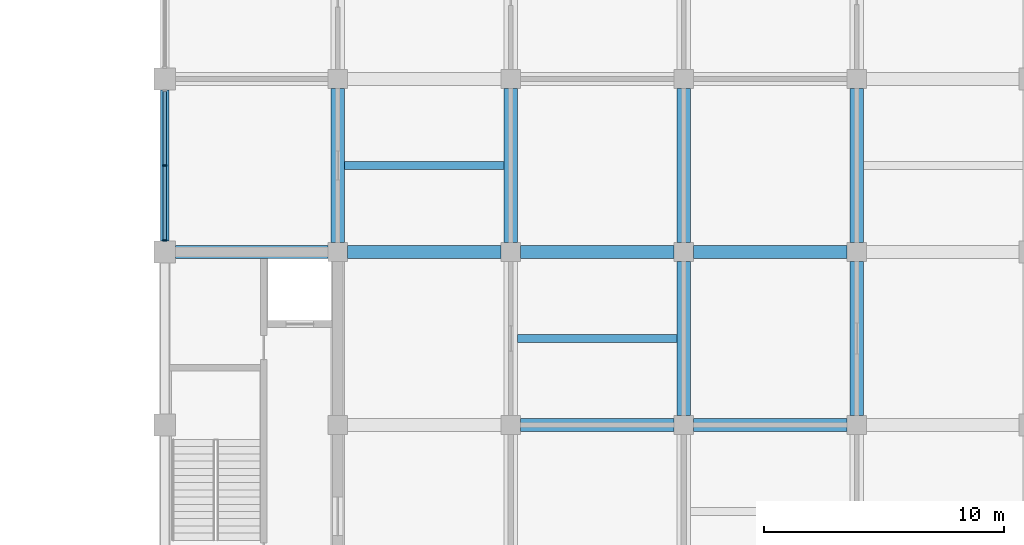
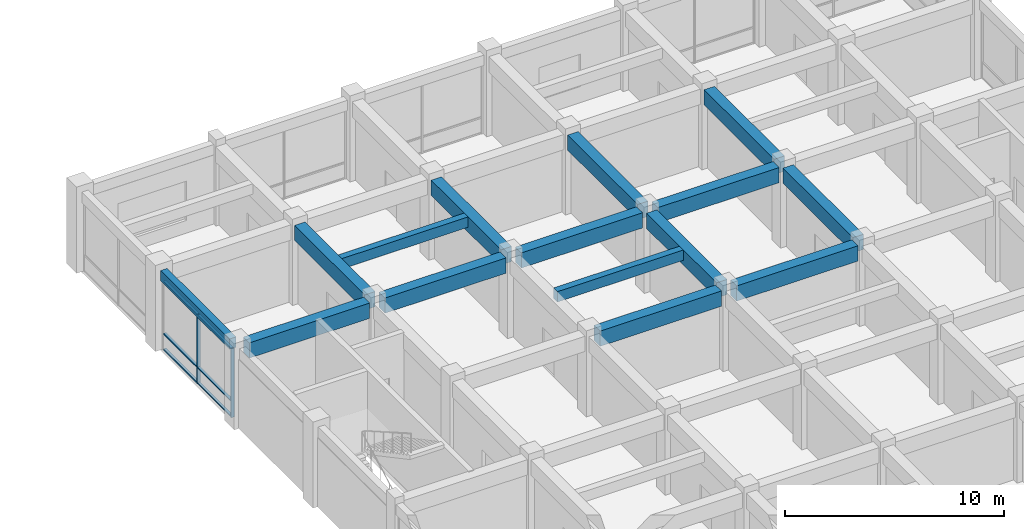
# One storey, part 15 of 75: 15 beams, 8 members, 1 element without a shape of its own.
"""IFC4 building model written with IfcOpenShell, lengths in metres."""

from ifc_helpers import new_model, si_unit, direction, frame, origin, origin_2d, place, context, subcontext, project, spatial, rectangle, extrude, material, layer, layer_set, material_profile, profile_set, type_object, element, aggregate, save


model = new_model("IFC4")

# Units and contexts
model_context = context("Model", 3, precision=1e-05, world=origin(), true_north=direction((0.0, 1.0)))
body_context = subcontext(model_context, "Body", "Model", "MODEL_VIEW")
ifc_project = project(units=[si_unit("LENGTHUNIT", "METRE"), si_unit("AREAUNIT", "SQUARE_METRE"), si_unit("VOLUMEUNIT", "CUBIC_METRE"), si_unit("PLANEANGLEUNIT", "RADIAN"), si_unit("MASSUNIT", "GRAM", prefix="KILO")], contexts=[model_context])

# Site, building, storey
site_placement = place(None, origin())
site = spatial("IfcSite", under=ifc_project, at=site_placement, CompositionType="ELEMENT")
building_placement = place(site_placement, origin())
building = spatial("IfcBuilding", under=site, at=building_placement, Name="Cendaluz Park School", CompositionType="ELEMENT")
storey_placement = place(building_placement, frame((0.0, 0.0, 4.800048828125)))
storey = spatial("IfcBuildingStorey", under=building, at=storey_placement, Name="L01", CompositionType="ELEMENT", Elevation=4.800048828125)

# Beams
ifc_material_1 = material(Name="Concrete C40/50", Category="concrete")
ifc_material_profile_1 = material_profile(ifc_material_1, rectangle(XDim=0.550048828125, YDim=0.85009765625, at=origin_2d()), Name="RC 550x850", Category="concrete")
ifc_profile_set_1 = profile_set([ifc_material_profile_1], Name="Concrete C40/50")
beam_type_1 = type_object("IfcBeamType", Name="BM-RC01", PredefinedType="BEAM", material=ifc_profile_set_1)
beam_1_placement = place(storey_placement, frame((65.25, 57.60009765625, 4.0048828125), z_axis=(1.0, 0.0, 0.0), x_axis=(0.0, 1.0, 0.0)))
element("IfcBeam", 1, at=beam_1_placement, inside=storey, type_object=beam_type_1, Name="BM-L01-BMRC01-0088", PredefinedType="BEAM", context=body_context, shape_type="SweptSolid", body=[
    extrude(rectangle(XDim=0.550048828125, YDim=0.85009765625, at=origin_2d()), origin(), (0.0, 0.0, 1.0), 6.35009765625),
])
beam_2_placement = place(storey_placement, frame((72.39990234375, 57.60009765625, 4.0048828125), z_axis=(1.0, 0.0, 0.0), x_axis=(0.0, 1.0, 0.0)))
element("IfcBeam", 2, at=beam_2_placement, inside=storey, type_object=beam_type_1, Name="BM-L01-BMRC01-0099", PredefinedType="BEAM", context=body_context, shape_type="SweptSolid", body=[
    extrude(rectangle(XDim=0.550048828125, YDim=0.85009765625, at=origin_2d()), origin(), (0.0, 0.0, 1.0), 6.400146484375),
])
for number, where, z_axis, x_axis, name in (
    (3, (79.60009765625, 50.39990234375, 4.0048828125), (1.0, 0.0, 0.0), (0.0, 1.0, 0.0), "BM-L01-BMRC01-0109"),
    (4, (79.60009765625, 57.60009765625, 4.0048828125), (1.0, 0.0, 0.0), (0.0, 1.0, 0.0), "BM-L01-BMRC01-0110"),
    (5, (86.800048828125, 50.39990234375, 4.0048828125), (1.0, 0.0, 0.0), (0.0, 1.0, 0.0), "BM-L01-BMRC01-0120"),
    (6, (86.800048828125, 57.60009765625, 4.0048828125), (1.0, 0.0, 0.0), (0.0, 1.0, 0.0), "BM-L01-BMRC01-0121"),
    (7, (72.0, 58.0, 4.0048828125), (0.0, 1.0, 0.0), (-1.0, 0.0, 0.0), "BM-L01-BMRC01-0328"),
    (8, (79.199951171875, 58.0, 4.0048828125), (0.0, 1.0, 0.0), (-1.0, 0.0, 0.0), "BM-L01-BMRC01-0338"),
    (9, (86.39990234375, 50.800048828125, 4.0048828125), (0.0, 1.0, 0.0), (-1.0, 0.0, 0.0), "BM-L01-BMRC01-0347"),
    (10, (86.39990234375, 58.0, 4.0048828125), (0.0, 1.0, 0.0), (-1.0, 0.0, 0.0), "BM-L01-BMRC01-0348"),
    (11, (93.60009765625, 50.800048828125, 4.0048828125), (0.0, 1.0, 0.0), (-1.0, 0.0, 0.0), "BM-L01-BMRC01-0357"),
    (12, (93.60009765625, 58.0, 4.0048828125), (0.0, 1.0, 0.0), (-1.0, 0.0, 0.0), "BM-L01-BMRC01-0358"),
):
    element("IfcBeam", number, at=place(storey_placement, frame(where, z_axis=z_axis, x_axis=x_axis)), inside=storey, type_object=beam_type_1, Name=name, PredefinedType="BEAM", context=body_context, shape_type="SweptSolid", body=[
        extrude(rectangle(XDim=0.550048828125, YDim=0.85009765625, at=origin_2d()), origin(), (0.0, 0.0, 1.0), 6.39990234375),
    ])
ifc_material_profile_2 = material_profile(ifc_material_1, rectangle(XDim=0.35009765625, YDim=0.580078125, at=origin_2d()), Name="RC 350x580", Category="concrete")
ifc_profile_set_2 = profile_set([ifc_material_profile_2], Name="Concrete C40/50")
beam_type_2 = type_object("IfcBeamType", Name="BM-RC04", PredefinedType="LINTEL", material=ifc_profile_set_2)
beam_3_placement = place(storey_placement, frame((64.800048828125, 58.050048828125, 4.139892578125), z_axis=(0.0, 1.0, 0.0), x_axis=(-1.0, 0.0, 0.0)))
element("IfcBeam", 13, at=beam_3_placement, inside=storey, type_object=beam_type_2, Name="BM-L01-BMRC04-0318", PredefinedType="LINTEL", context=body_context, shape_type="SweptSolid", body=[
    extrude(rectangle(XDim=0.35009765625, YDim=0.580078125, at=origin_2d()), origin(), (0.0, 0.0, 1.0), 6.300048828125),
])

# Curtain wall, members
ifc_material_2 = material(Name="Anodised Aluminium 6063-T6", Category="aluminium")
ifc_layer = layer(ifc_material_2, 0.179931640625)
ifc_layer_set = layer_set([ifc_layer], Name="Anodised Aluminium 6063-T6")
curtain_wall_type = type_object("IfcCurtainWallType", Name="CW-126x77", PredefinedType="NOTDEFINED", material=ifc_layer_set)
curtain_wall_placement = place(storey_placement, origin())
curtain_wall = element("IfcCurtainWall", 14, at=curtain_wall_placement, inside=storey, type_object=curtain_wall_type, Name="CW-L01-041", PredefinedType="NOTDEFINED")
ifc_material_profile_3 = material_profile(ifc_material_2, rectangle(XDim=0.179931640625, YDim=0.070068359375, at=origin_2d()), Name="CWM 180x70", Category="aluminium")
ifc_profile_set_3 = profile_set([ifc_material_profile_3], Name="Anodised Aluminium 6063-T6")
member_type_1 = type_object("IfcMemberType", Name="CWM-01", PredefinedType="MULLION", material=ifc_profile_set_3)
member_1_placement = place(storey_placement, frame((64.800048828125, 58.0849609375, 0.0), z_axis=(0.0, 0.0, 1.0), x_axis=(-1.0, 0.0, 0.0)))
member_1 = element("IfcMember", 15, at=member_1_placement, type_object=member_type_1, Name="CP-L01-0521", PredefinedType="MULLION", context=body_context, shape_type="SweptSolid", body=[
    extrude(rectangle(XDim=0.179931640625, YDim=0.070068359375, at=origin_2d()), origin(), (0.0, 0.0, 1.0), 3.849853515625),
])
member_2_placement = place(storey_placement, frame((64.800048828125, 61.199951171875, 0.0), z_axis=(0.0, 0.0, 1.0), x_axis=(-1.0, 0.0, 0.0)))
member_2 = element("IfcMember", 16, at=member_2_placement, type_object=member_type_1, Name="CP-L01-0522", PredefinedType="MULLION", context=body_context, shape_type="SweptSolid", body=[
    extrude(rectangle(XDim=0.179931640625, YDim=0.070068359375, at=origin_2d()), origin(), (0.0, 0.0, 1.0), 3.849853515625),
])
ifc_material_profile_4 = material_profile(ifc_material_2, rectangle(XDim=0.139892578125, YDim=0.070068359375, at=origin_2d()), Name="CWT 140x70", Category="aluminium")
ifc_profile_set_4 = profile_set([ifc_material_profile_4], Name="Anodised Aluminium 6063-T6")
member_type_2 = type_object("IfcMemberType", Name="CWT-01", PredefinedType="USERDEFINED", material=ifc_profile_set_4)
member_3_placement = place(storey_placement, frame((64.800048828125, 58.1201171875, 0.034912109375), z_axis=(0.0, 1.0, 0.0), x_axis=(-1.0, 0.0, 0.0)))
member_3 = element("IfcMember", 17, at=member_3_placement, type_object=member_type_2, Name="CP-L01-0524", ObjectType="TRANSOM", PredefinedType="USERDEFINED", context=body_context, shape_type="SweptSolid", body=[
    extrude(rectangle(XDim=0.139892578125, YDim=0.070068359375, at=origin_2d()), origin(), (0.0, 0.0, 1.0), 3.044921875),
])
member_4_placement = place(storey_placement, frame((64.800048828125, 58.1201171875, 0.89990234375), z_axis=(0.0, 1.0, 0.0), x_axis=(-1.0, 0.0, 0.0)))
member_4 = element("IfcMember", 18, at=member_4_placement, type_object=member_type_2, Name="CP-L01-0525", ObjectType="TRANSOM", PredefinedType="USERDEFINED", context=body_context, shape_type="SweptSolid", body=[
    extrude(rectangle(XDim=0.139892578125, YDim=0.070068359375, at=origin_2d()), origin(), (0.0, 0.0, 1.0), 3.044921875),
])
member_5_placement = place(storey_placement, frame((64.800048828125, 58.1201171875, 3.81494140625), z_axis=(0.0, 1.0, 0.0), x_axis=(-1.0, 0.0, 0.0)))
member_5 = element("IfcMember", 19, at=member_5_placement, type_object=member_type_2, Name="CP-L01-0526", ObjectType="TRANSOM", PredefinedType="USERDEFINED", context=body_context, shape_type="SweptSolid", body=[
    extrude(rectangle(XDim=0.139892578125, YDim=0.070068359375, at=origin_2d()), origin(), (0.0, 0.0, 1.0), 3.044921875),
])
member_6_placement = place(storey_placement, frame((64.800048828125, 61.235107421875, 0.034912109375), z_axis=(0.0, 1.0, 0.0), x_axis=(-1.0, 0.0, 0.0)))
member_6 = element("IfcMember", 20, at=member_6_placement, type_object=member_type_2, Name="CP-L01-0529", ObjectType="TRANSOM", PredefinedType="USERDEFINED", context=body_context, shape_type="SweptSolid", body=[
    extrude(rectangle(XDim=0.139892578125, YDim=0.070068359375, at=origin_2d()), origin(), (0.0, 0.0, 1.0), 3.044921875),
])
member_7_placement = place(storey_placement, frame((64.800048828125, 61.235107421875, 0.89990234375), z_axis=(0.0, 1.0, 0.0), x_axis=(-1.0, 0.0, 0.0)))
member_7 = element("IfcMember", 21, at=member_7_placement, type_object=member_type_2, Name="CP-L01-0530", ObjectType="TRANSOM", PredefinedType="USERDEFINED", context=body_context, shape_type="SweptSolid", body=[
    extrude(rectangle(XDim=0.139892578125, YDim=0.070068359375, at=origin_2d()), origin(), (0.0, 0.0, 1.0), 3.044921875),
])
member_8_placement = place(storey_placement, frame((64.800048828125, 61.235107421875, 3.81494140625), z_axis=(0.0, 1.0, 0.0), x_axis=(-1.0, 0.0, 0.0)))
member_8 = element("IfcMember", 22, at=member_8_placement, type_object=member_type_2, Name="CP-L01-0531", ObjectType="TRANSOM", PredefinedType="USERDEFINED", context=body_context, shape_type="SweptSolid", body=[
    extrude(rectangle(XDim=0.139892578125, YDim=0.070068359375, at=origin_2d()), origin(), (0.0, 0.0, 1.0), 3.044921875),
])
aggregate(curtain_wall, [member_1, member_2, member_3, member_4, member_5, member_6, member_7, member_8])

# Beams
ifc_material_profile_5 = material_profile(ifc_material_1, rectangle(XDim=0.35009765625, YDim=0.580078125, at=origin_2d()), Name="RC 350x580", Category="concrete")
ifc_profile_set_5 = profile_set([ifc_material_profile_5], Name="Concrete C40/50")
beam_type_3 = type_object("IfcBeamType", Name="JT-RC01", PredefinedType="JOIST", material=ifc_profile_set_5)
beam_4_placement = place(storey_placement, frame((72.27490234375, 61.199951171875, 4.139892578125), z_axis=(1.0, 0.0, 0.0), x_axis=(0.0, 1.0, 0.0)))
element("IfcBeam", 23, at=beam_4_placement, inside=storey, type_object=beam_type_3, Name="BM-L01-JTRC01-0491", PredefinedType="JOIST", context=body_context, shape_type="SweptSolid", body=[
    extrude(rectangle(XDim=0.35009765625, YDim=0.580078125, at=origin_2d()), origin(), (0.0, 0.0, 1.0), 6.650146484375),
])
beam_5_placement = place(storey_placement, frame((79.47509765625, 54.0, 4.139892578125), z_axis=(1.0, 0.0, 0.0), x_axis=(0.0, 1.0, 0.0)))
element("IfcBeam", 24, at=beam_5_placement, inside=storey, type_object=beam_type_3, Name="BM-L01-JTRC01-0494", PredefinedType="JOIST", context=body_context, shape_type="SweptSolid", body=[
    extrude(rectangle(XDim=0.35009765625, YDim=0.580078125, at=origin_2d()), origin(), (0.0, 0.0, 1.0), 6.64990234375),
])

save(model, "model.ifc")
